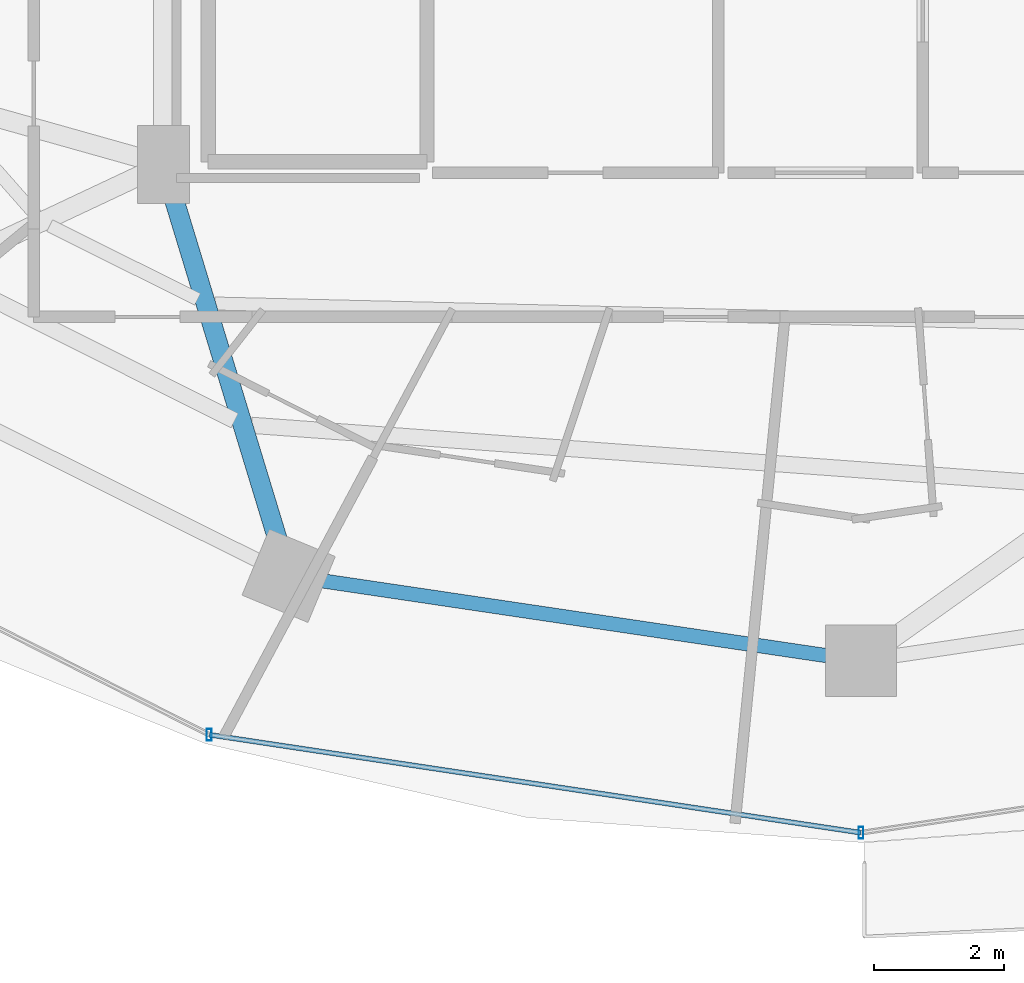
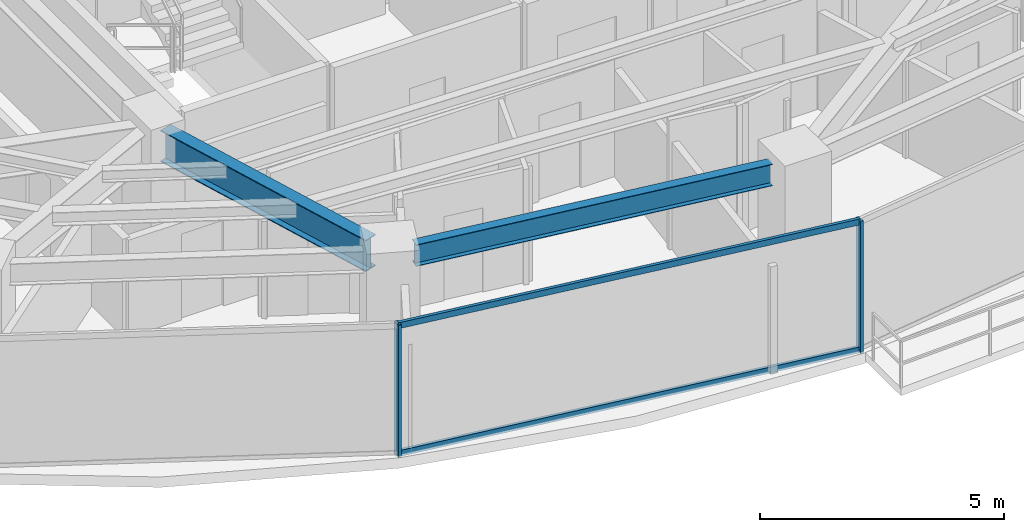
# One storey, part 4 of 29: 4 members, 2 beams, 1 element without a shape of its own.
"""IFC4 building model written with IfcOpenShell, lengths in metres."""

from ifc_helpers import new_model, si_unit, direction, frame, origin, origin_2d, place, context, subcontext, project, spatial, hollow_rectangle, i_section, extrude, material, material_profile, profile_set, type_object, element, aggregate, save


model = new_model("IFC4")

# Units and contexts
model_context = context("Model", 3, precision=1e-05, world=origin(), true_north=direction((0.0, 1.0)))
body_context = subcontext(model_context, "Body", "Model", "MODEL_VIEW")
ifc_project = project(units=[si_unit("LENGTHUNIT", "METRE"), si_unit("AREAUNIT", "SQUARE_METRE"), si_unit("VOLUMEUNIT", "CUBIC_METRE"), si_unit("PLANEANGLEUNIT", "RADIAN"), si_unit("MASSUNIT", "GRAM", prefix="KILO")], contexts=[model_context])

# Site, building, storey
site_placement = place(None, origin())
site = spatial("IfcSite", under=ifc_project, at=site_placement, CompositionType="ELEMENT")
building_placement = place(site_placement, origin())
building = spatial("IfcBuilding", under=site, at=building_placement, Name="Vorneva Point Tower", CompositionType="ELEMENT")
storey_placement = place(building_placement, frame((0.0, 0.0, 110.300048828125)))
storey = spatial("IfcBuildingStorey", under=building, at=storey_placement, Name="L29", CompositionType="ELEMENT", Elevation=110.300048828125)

# Beams
ifc_material_1 = material(Name="Steel S355", Category="steel")
ifc_material_profile_1 = material_profile(ifc_material_1, i_section(OverallWidth=0.300048828125, OverallDepth=0.7880859375, WebThickness=0.014404296875, FlangeThickness=0.02197265625, at=origin_2d()), Name="80Sh1")
ifc_profile_set_1 = profile_set([ifc_material_profile_1], Name="Steel S355")
beam_type_1 = type_object("IfcBeamType", Name="BM-GRD-80Sh1", PredefinedType="USERDEFINED", material=ifc_profile_set_1)
beam_1_placement = place(storey_placement, frame((29.0224609375, 10.6240234375, 2.845947265625), z_axis=(-0.291034888253, 0.956712440506, 0.0), x_axis=(-0.956712440506, -0.291034888253, 0.0)))
element("IfcBeam", 1, at=beam_1_placement, inside=storey, type_object=beam_type_1, Name="L29 Radial Primary Girder 12", ObjectType="GIRDER", PredefinedType="USERDEFINED", context=body_context, shape_type="SweptSolid", body=[
    extrude(i_section(OverallWidth=0.300048828125, OverallDepth=0.7880859375, WebThickness=0.014404296875, FlangeThickness=0.02197265625, at=origin_2d()), origin(), (0.0, 0.0, 1.0), 5.74951171875),
])
ifc_material_profile_2 = material_profile(ifc_material_1, i_section(OverallWidth=0.219970703125, OverallDepth=0.54296875, WebThickness=0.009521484375, FlangeThickness=0.013427734375, at=origin_2d()), Name="55B1")
ifc_profile_set_2 = profile_set([ifc_material_profile_2], Name="Steel S355")
beam_type_2 = type_object("IfcBeamType", Name="BM-SPN-55B1", PredefinedType="SPANDREL", material=ifc_profile_set_2)
beam_2_placement = place(storey_placement, frame((29.708251953125, 10.03076171875, 2.968505859375), z_axis=(0.989164507783, -0.146811363806, 0.0), x_axis=(0.146811363806, 0.989164507783, 0.0)))
element("IfcBeam", 2, at=beam_2_placement, inside=storey, type_object=beam_type_2, Name="L29 Perimeter Spandrel Ring Beam 12", PredefinedType="SPANDREL", context=body_context, shape_type="SweptSolid", body=[
    extrude(i_section(OverallWidth=0.219970703125, OverallDepth=0.54296875, WebThickness=0.009521484375, FlangeThickness=0.013427734375, at=origin_2d()), origin(), (0.0, 0.0, 1.0), 7.847412109375),
])

# Curtain wall, members
ifc_material_2 = material(Name="Pale anodised aluminium", Category="aluminium")
curtain_wall_type = type_object("IfcCurtainWallType", Name="CW-HTL-SYS", PredefinedType="NOTDEFINED", material=ifc_material_2)
curtain_wall_placement = place(storey_placement, origin())
curtain_wall = element("IfcCurtainWall", 3, at=curtain_wall_placement, inside=storey, type_object=curtain_wall_type, Name="L29 Unitised Curtain Wall CW-L29-R04", PredefinedType="NOTDEFINED")
ifc_material_profile_3 = material_profile(ifc_material_2, hollow_rectangle(XDim=0.074951171875, YDim=0.179931640625, WallThickness=0.00390625, at=origin_2d()), Name="AL-MUL 180x75x4")
ifc_profile_set_3 = profile_set([ifc_material_profile_3], Name="Pale anodised aluminium")
member_type_1 = type_object("IfcMemberType", Name="CW-MUL-180", PredefinedType="MULLION", material=ifc_profile_set_3)
member_1_placement = place(storey_placement, frame((27.95458984375, 7.660888671875, -0.0400390625), z_axis=(0.0, 0.0, 1.0), x_axis=(1.0, 0.0, 0.0)))
member_1 = element("IfcMember", 4, at=member_1_placement, type_object=member_type_1, Name="CW-L29-R04 Mullion 02", PredefinedType="MULLION", context=body_context, shape_type="SweptSolid", body=[
    extrude(hollow_rectangle(XDim=0.074951171875, YDim=0.179931640625, WallThickness=0.00390625, at=origin_2d()), origin(), (0.0, 0.0, 1.0), 3.31005859375),
])
member_2_placement = place(storey_placement, frame((38.0, 6.14990234375, -0.0400390625), z_axis=(0.0, 0.0, 1.0), x_axis=(1.0, 0.0, 0.0)))
member_2 = element("IfcMember", 5, at=member_2_placement, type_object=member_type_1, Name="CW-L29-R04 Mullion 03", PredefinedType="MULLION", context=body_context, shape_type="SweptSolid", body=[
    extrude(hollow_rectangle(XDim=0.074951171875, YDim=0.179931640625, WallThickness=0.00390625, at=origin_2d()), origin(), (0.0, 0.0, 1.0), 3.31005859375),
])
ifc_material_profile_4 = material_profile(ifc_material_2, hollow_rectangle(XDim=0.074951171875, YDim=0.14990234375, WallThickness=0.00390625, at=origin_2d()), Name="AL-TRN 150x75x4")
ifc_profile_set_4 = profile_set([ifc_material_profile_4], Name="Pale anodised aluminium")
member_type_2 = type_object("IfcMemberType", Name="CW-TRN-150", PredefinedType="USERDEFINED", material=ifc_profile_set_4)
member_3_placement = place(storey_placement, frame((27.95458984375, 7.660888671875, 0.02001953125), z_axis=(0.988875982167, -0.148742367512, 0.0), x_axis=(0.148742367512, 0.988875982167, 0.0)))
member_3 = element("IfcMember", 6, at=member_3_placement, type_object=member_type_2, Name="CW-L29-R04 Transom 02.1", ObjectType="TRANSOM", PredefinedType="USERDEFINED", context=body_context, shape_type="SweptSolid", body=[
    extrude(hollow_rectangle(XDim=0.074951171875, YDim=0.14990234375, WallThickness=0.00390625, at=origin_2d()), origin(), (0.0, 0.0, 1.0), 10.158447265625),
])
member_4_placement = place(storey_placement, frame((27.95458984375, 7.660888671875, 3.219970703125), z_axis=(0.988875982167, -0.148742367512, 0.0), x_axis=(0.148742367512, 0.988875982167, 0.0)))
member_4 = element("IfcMember", 7, at=member_4_placement, type_object=member_type_2, Name="CW-L29-R04 Transom 02.2", ObjectType="TRANSOM", PredefinedType="USERDEFINED", context=body_context, shape_type="SweptSolid", body=[
    extrude(hollow_rectangle(XDim=0.074951171875, YDim=0.14990234375, WallThickness=0.00390625, at=origin_2d()), origin(), (0.0, 0.0, 1.0), 10.158447265625),
])
aggregate(curtain_wall, [member_1, member_2, member_3, member_4])

save(model, "model.ifc")
